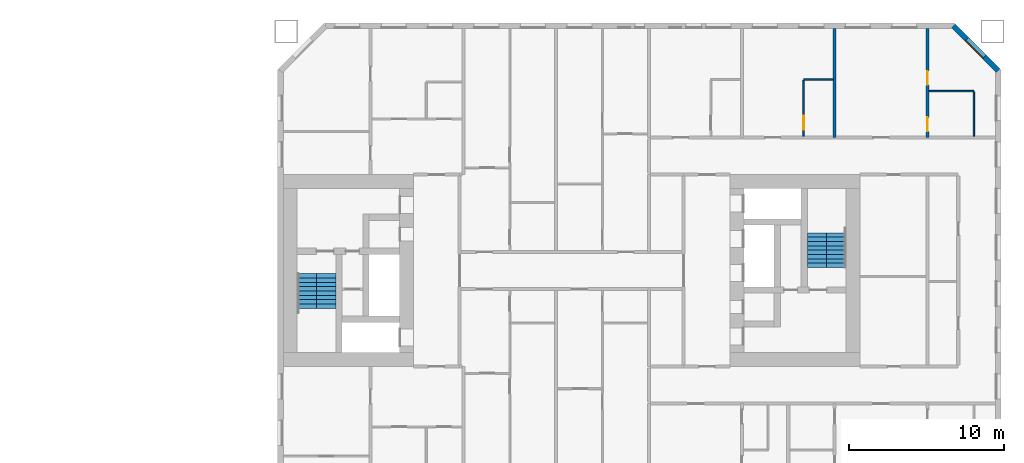
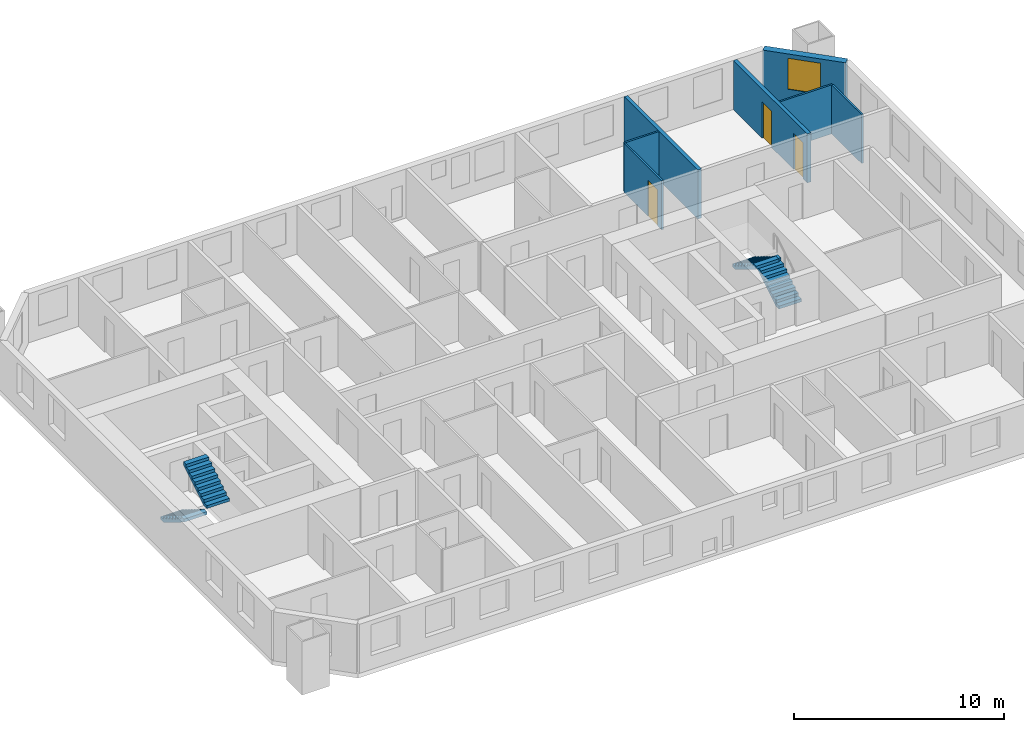
# One storey, part 14 of 16: 7 walls, 4 stair flights, 3 doors, 1 window, 4 openings, 2 elements without a shape of their own.
"""IFC4 building model written with IfcOpenShell, lengths in metres."""

from ifc_helpers import new_model, si_unit, direction, frame, frame_2d, origin, place, context, subcontext, project, spatial, polyline, rectangle, outline, extrude, material, layer, layer_set, type_object, element, fill, aggregate, save


model = new_model("IFC4")

# Units and contexts
model_context = context("Model", 3, precision=1e-05, world=origin(), true_north=direction((0.0, 1.0)))
body_context = subcontext(model_context, "Body", "Model", "MODEL_VIEW")
ifc_project = project(units=[si_unit("LENGTHUNIT", "METRE"), si_unit("AREAUNIT", "SQUARE_METRE"), si_unit("VOLUMEUNIT", "CUBIC_METRE"), si_unit("PLANEANGLEUNIT", "RADIAN"), si_unit("MASSUNIT", "GRAM", prefix="KILO")], contexts=[model_context])

# Site, building, storey
site_placement = place(None, origin())
site = spatial("IfcSite", under=ifc_project, at=site_placement, CompositionType="ELEMENT")
building_placement = place(site_placement, origin())
building = spatial("IfcBuilding", under=site, at=building_placement, Name="Tuart Gate Housing", CompositionType="ELEMENT")
storey_placement = place(building_placement, frame((0.0, 0.0, 35.0)))
storey = spatial("IfcBuildingStorey", under=building, at=storey_placement, Name="L09", CompositionType="ELEMENT", Elevation=35.0)

# Wall, opening, window
ifc_material_1 = material(Name="Brick", Category="masonry")
ifc_layer_1 = layer(ifc_material_1, 0.360107421875)
ifc_layer_set_1 = layer_set([ifc_layer_1], Name="Brick pier and spandrel wall 360")
wall_type_1 = type_object("IfcWallType", Name="Brick pier and spandrel wall 360", PredefinedType="STANDARD", material=ifc_layer_set_1)
wall_1_placement = place(storey_placement, frame((177.570068359375, 82.92529296875, 0.0), z_axis=(0.0, 0.0, 1.0), x_axis=(-0.707106781187, 0.707106781187, 0.0)))
wall_1 = element("IfcWall", 1, at=wall_1_placement, inside=storey, type_object=wall_type_1, Name="External wall B-NE L09", PredefinedType="STANDARD", context=body_context, shape_type="SweptSolid", body=[
    extrude(rectangle(XDim=4.09375, YDim=0.360107421875, at=frame_2d((2.046875, 0.0))), origin(), (0.0, 0.0, 1.0), 2.85009765625),
])
opening_1_placement = place(wall_1_placement, frame((1.2470703125, 0.0, 0.800048828125)))
opening_1 = element("IfcOpeningElement", 2, at=opening_1_placement, cuts=wall_1, Name="Opening W1", PredefinedType="OPENING", context=body_context, shape_type="SweptSolid", body=[
    extrude(rectangle(XDim=1.60009765625, YDim=1.800048828125, at=frame_2d((0.800048828125, 0.89990234375))), frame((0.0, 0.18994140625, 0.0), z_axis=(0.0, -1.0, 0.0), x_axis=(1.0, 0.0, 0.0)), (0.0, 0.0, 1.0), 0.380126953125),
])
ifc_material_2 = material(Name="Aluminium frame with clear glass", Category="aluminium")
window_type = type_object("IfcWindowType", Name="Punched window 1600 x 1800", PartitioningType="SINGLE_PANEL", PredefinedType="WINDOW", material=ifc_material_2)
window_placement = place(opening_1_placement, origin())
window = element("IfcWindow", 3, at=window_placement, inside=storey, type_object=window_type, Name="Window W1", OverallHeight=1.800048828125, OverallWidth=1.60009765625, PartitioningType="SINGLE_PANEL", PredefinedType="WINDOW", context=body_context, shape_type="SweptSolid", body=[
    extrude(rectangle(XDim=1.60009765625, YDim=1.800048828125, at=frame_2d((0.800048828125, 0.89990234375))), frame((0.0, 0.150146484375, 0.0), z_axis=(0.0, -1.0, 0.0), x_axis=(1.0, 0.0, 0.0)), (0.0, 0.0, 1.0), 0.06005859375),
])
fill(opening_1, window)

# Walls
ifc_material_3 = material(Name="Gypsum board on steel studs", Category="steel")
ifc_layer_2 = layer(ifc_material_3, 0.10009765625)
ifc_layer_set_2 = layer_set([ifc_layer_2], Name="Partition 100")
wall_type_2 = type_object("IfcWallType", Name="Partition 100", PredefinedType="PARTITIONING", material=ifc_layer_set_2)
wall_2_placement = place(storey_placement, frame((173.10009765625, 81.60009765625, 0.0), z_axis=(0.0, 0.0, 1.0), x_axis=(1.0, 0.0, 0.0)))
element("IfcWall", 4, at=wall_2_placement, inside=storey, type_object=wall_type_2, Name="Partition 100", PredefinedType="PARTITIONING", context=body_context, shape_type="SweptSolid", body=[
    extrude(rectangle(XDim=2.89990234375, YDim=0.10009765625, at=frame_2d((1.449951171875, 0.0))), origin(), (0.0, 0.0, 1.0), 2.85009765625),
])
wall_3_placement = place(storey_placement, frame((165.0, 82.35009765625, 0.0), z_axis=(0.0, 0.0, 1.0), x_axis=(1.0, 0.0, 0.0)))
element("IfcWall", 5, at=wall_3_placement, inside=storey, type_object=wall_type_2, Name="Partition 100", PredefinedType="PARTITIONING", context=body_context, shape_type="SweptSolid", body=[
    extrude(rectangle(XDim=1.89990234375, YDim=0.10009765625, at=frame_2d((0.949951171875, 0.0))), origin(), (0.0, 0.0, 1.0), 2.85009765625),
])

# Wall, opening, door
wall_4_placement = place(storey_placement, frame((165.0, 78.699951171875, 0.0), z_axis=(0.0, 0.0, 1.0), x_axis=(0.0, 1.0, 0.0)))
wall_4 = element("IfcWall", 6, at=wall_4_placement, inside=storey, type_object=wall_type_2, Name="Partition 100", PredefinedType="PARTITIONING", context=body_context, shape_type="SweptSolid", body=[
    extrude(rectangle(XDim=3.60009765625, YDim=0.10009765625, at=frame_2d((1.800048828125, 0.0))), origin(), (0.0, 0.0, 1.0), 2.85009765625),
])
opening_2_placement = place(wall_4_placement, frame((0.39990234375, 0.0, 0.0)))
opening_2 = element("IfcOpeningElement", 7, at=opening_2_placement, cuts=wall_4, Name="Opening D537", PredefinedType="OPENING", context=body_context, shape_type="SweptSolid", body=[
    extrude(rectangle(XDim=0.89990234375, YDim=2.10009765625, at=frame_2d((0.449951171875, 1.050048828125))), frame((0.0, 0.06005859375, 0.0), z_axis=(0.0, -1.0, 0.0), x_axis=(1.0, 0.0, 0.0)), (0.0, 0.0, 1.0), 0.1201171875),
])
ifc_material_4 = material(Name="Timber door leaf in steel frame", Category="steel")
door_type_1 = type_object("IfcDoorType", Name="Bathroom door 900 RH", OperationType="SINGLE_SWING_RIGHT", PredefinedType="DOOR", material=ifc_material_4)
door_1_placement = place(opening_2_placement, frame((0.89990234375, 0.0, 0.0), z_axis=(0.0, 0.0, 1.0), x_axis=(-1.0, 0.0, 0.0)))
door_1 = element("IfcDoor", 8, at=door_1_placement, inside=storey, type_object=door_type_1, Name="Bathroom door", OperationType="SINGLE_SWING_RIGHT", OverallHeight=2.10009765625, OverallWidth=0.89990234375, PredefinedType="DOOR", context=body_context, shape_type="SweptSolid", body=[
    extrude(rectangle(XDim=0.89990234375, YDim=2.10009765625, at=frame_2d((0.449951171875, 1.050048828125))), frame((0.0, 0.025146484375, 0.0), z_axis=(0.0, -1.0, 0.0), x_axis=(1.0, 0.0, 0.0)), (0.0, 0.0, 1.0), 0.050048828125),
])
fill(opening_2, door_1)

# Walls
wall_5_placement = place(storey_placement, frame((176.0, 78.699951171875, 0.0), z_axis=(0.0, 0.0, 1.0), x_axis=(0.0, 1.0, 0.0)))
element("IfcWall", 9, at=wall_5_placement, inside=storey, type_object=wall_type_2, Name="Partition 100", PredefinedType="PARTITIONING", context=body_context, shape_type="SweptSolid", body=[
    extrude(rectangle(XDim=2.85009765625, YDim=0.10009765625, at=frame_2d((1.425048828125, 0.0))), origin(), (0.0, 0.0, 1.0), 2.85009765625),
])
ifc_material_5 = material(Name="Concrete C40", Category="concrete")
ifc_layer_3 = layer(ifc_material_5, 0.199951171875)
ifc_layer_set_3 = layer_set([ifc_layer_3], Name="Party wall concrete C40 200")
wall_type_3 = type_object("IfcWallType", Name="Party wall concrete C40 200", PredefinedType="SOLIDWALL", material=ifc_layer_set_3)
wall_6_placement = place(storey_placement, frame((167.0, 78.60009765625, 0.0), z_axis=(0.0, 0.0, 1.0), x_axis=(0.0, 1.0, 0.0)))
element("IfcWall", 10, at=wall_6_placement, inside=storey, type_object=wall_type_3, Name="Party wall concrete C40 200", PredefinedType="SOLIDWALL", context=body_context, shape_type="SweptSolid", body=[
    extrude(rectangle(XDim=7.039794921875, YDim=0.199951171875, at=frame_2d((3.52001953125, 0.0))), origin(), (0.0, 0.0, 1.0), 2.85009765625),
])

# Wall, openings, doors
wall_7_placement = place(storey_placement, frame((173.0, 78.60009765625, 0.0), z_axis=(0.0, 0.0, 1.0), x_axis=(0.0, 1.0, 0.0)))
wall_7 = element("IfcWall", 11, at=wall_7_placement, inside=storey, type_object=wall_type_3, Name="Party wall concrete C40 200", PredefinedType="SOLIDWALL", context=body_context, shape_type="SweptSolid", body=[
    extrude(rectangle(XDim=7.039794921875, YDim=0.199951171875, at=frame_2d((3.52001953125, 0.0))), origin(), (0.0, 0.0, 1.0), 2.85009765625),
])
opening_3_placement = place(wall_7_placement, frame((3.39990234375, 0.0, 0.0)))
opening_3 = element("IfcOpeningElement", 12, at=opening_3_placement, cuts=wall_7, Name="Opening D533", PredefinedType="OPENING", context=body_context, shape_type="SweptSolid", body=[
    extrude(rectangle(XDim=0.89990234375, YDim=2.10009765625, at=frame_2d((0.449951171875, 1.050048828125))), frame((0.0, 0.10986328125, 0.0), z_axis=(0.0, -1.0, 0.0), x_axis=(1.0, 0.0, 0.0)), (0.0, 0.0, 1.0), 0.219970703125),
])
opening_4_placement = place(wall_7_placement, frame((0.39990234375, 0.0, 0.0)))
opening_4 = element("IfcOpeningElement", 13, at=opening_4_placement, cuts=wall_7, Name="Opening D532", PredefinedType="OPENING", context=body_context, shape_type="SweptSolid", body=[
    extrude(rectangle(XDim=0.89990234375, YDim=2.10009765625, at=frame_2d((0.449951171875, 1.050048828125))), frame((0.0, 0.10986328125, 0.0), z_axis=(0.0, -1.0, 0.0), x_axis=(1.0, 0.0, 0.0)), (0.0, 0.0, 1.0), 0.219970703125),
])
door_2_placement = place(opening_4_placement, frame((0.89990234375, 0.0, 0.0), z_axis=(0.0, 0.0, 1.0), x_axis=(-1.0, 0.0, 0.0)))
door_2 = element("IfcDoor", 14, at=door_2_placement, inside=storey, type_object=door_type_1, Name="Bathroom door", OperationType="SINGLE_SWING_RIGHT", OverallHeight=2.10009765625, OverallWidth=0.89990234375, PredefinedType="DOOR", context=body_context, shape_type="SweptSolid", body=[
    extrude(rectangle(XDim=0.89990234375, YDim=2.10009765625, at=frame_2d((0.449951171875, 1.050048828125))), frame((0.0, 0.025146484375, 0.0), z_axis=(0.0, -1.0, 0.0), x_axis=(1.0, 0.0, 0.0)), (0.0, 0.0, 1.0), 0.050048828125),
])
fill(opening_4, door_2)
ifc_material_6 = material(Name="Timber door leaf in steel frame", Category="steel")
door_type_2 = type_object("IfcDoorType", Name="Internal door 900 RH", OperationType="SINGLE_SWING_RIGHT", PredefinedType="DOOR", material=ifc_material_6)
door_3_placement = place(opening_3_placement, frame((0.89990234375, 0.0, 0.0), z_axis=(0.0, 0.0, 1.0), x_axis=(-1.0, 0.0, 0.0)))
door_3 = element("IfcDoor", 15, at=door_3_placement, inside=storey, type_object=door_type_2, Name="Internal door", OperationType="SINGLE_SWING_RIGHT", OverallHeight=2.10009765625, OverallWidth=0.89990234375, PredefinedType="DOOR", context=body_context, shape_type="SweptSolid", body=[
    extrude(rectangle(XDim=0.89990234375, YDim=2.10009765625, at=frame_2d((0.449951171875, 1.050048828125))), frame((0.0, 0.025146484375, 0.0), z_axis=(0.0, -1.0, 0.0), x_axis=(1.0, 0.0, 0.0)), (0.0, 0.0, 1.0), 0.050048828125),
])
fill(opening_3, door_3)

# Stair, stair flights
ifc_material_7 = material(Name="Concrete C40", Category="concrete")
stair_type = type_object("IfcStairType", Name="Core stair 1250", PredefinedType="HALF_TURN_STAIR", material=ifc_material_7)
stair_1_placement = place(storey_placement, origin())
stair_1 = element("IfcStair", 16, at=stair_1_placement, inside=storey, type_object=stair_type, Name="Stair SB1", PredefinedType="HALF_TURN_STAIR")
ifc_material_8 = material(Name="Concrete C40", Category="concrete")
stair_flight_type = type_object("IfcStairFlightType", Name="Stair flight 1250, 9 risers 172 x 280", PredefinedType="STRAIGHT", material=ifc_material_8)
stair_flight_1_placement = place(storey_placement, frame((132.885009765625, 69.800048828125, 0.0), z_axis=(0.0, 0.0, 1.0), x_axis=(0.0, -1.0, 0.0)))
stair_flight_1 = element("IfcStairFlight", 17, at=stair_flight_1_placement, type_object=stair_flight_type, Name="SB1 flight 1", NumberOfRisers=9, NumberOfTreads=8, PredefinedType="STRAIGHT", RiserHeight=0.172222222, TreadLength=0.28, context=body_context, shape_type="SweptSolid", body=[
    extrude(outline(polyline([(0.0, 0.0), (0.0, 0.172119140625), (0.280029296875, 0.172119140625), (0.280029296875, 0.344482421875), (0.56005859375, 0.344482421875), (0.56005859375, 0.5166015625), (0.840087890625, 0.5166015625), (0.840087890625, 0.68896484375), (1.1201171875, 0.68896484375), (1.1201171875, 0.861083984375), (1.39990234375, 0.861083984375), (1.39990234375, 1.033447265625), (1.679931640625, 1.033447265625), (1.679931640625, 1.20556640625), (1.9599609375, 1.20556640625), (1.9599609375, 1.377685546875), (2.239990234375, 1.377685546875), (2.239990234375, 1.550048828125), (2.239990234375, 1.201904296875), (0.2861328125, 0.0), (0.0, 0.0)])), frame((0.0, 0.625, 0.0), z_axis=(0.0, -1.0, 0.0), x_axis=(1.0, 0.0, 0.0)), (0.0, 0.0, 1.0), 1.25),
])
stair_flight_2_placement = place(storey_placement, frame((134.135009765625, 67.56005859375, 1.550048828125), z_axis=(0.0, 0.0, 1.0), x_axis=(0.0, 1.0, 0.0)))
stair_flight_2 = element("IfcStairFlight", 18, at=stair_flight_2_placement, type_object=stair_flight_type, Name="SB1 flight 2", NumberOfRisers=9, NumberOfTreads=8, PredefinedType="STRAIGHT", RiserHeight=0.172222222, TreadLength=0.28, context=body_context, shape_type="SweptSolid", body=[
    extrude(outline(polyline([(0.0, 0.0), (0.0, 0.172119140625), (0.280029296875, 0.172119140625), (0.280029296875, 0.344482421875), (0.56005859375, 0.344482421875), (0.56005859375, 0.5166015625), (0.840087890625, 0.5166015625), (0.840087890625, 0.68896484375), (1.1201171875, 0.68896484375), (1.1201171875, 0.861083984375), (1.39990234375, 0.861083984375), (1.39990234375, 1.033447265625), (1.679931640625, 1.033447265625), (1.679931640625, 1.20556640625), (1.9599609375, 1.20556640625), (1.9599609375, 1.377685546875), (2.239990234375, 1.377685546875), (2.239990234375, 1.550048828125), (2.239990234375, 1.201904296875), (0.2861328125, 0.0), (0.0, 0.0)])), frame((0.0, 0.625, 0.0), z_axis=(0.0, -1.0, 0.0), x_axis=(1.0, 0.0, 0.0)), (0.0, 0.0, 1.0), 1.25),
])
aggregate(stair_1, [stair_flight_1, stair_flight_2])

stair_2_placement = place(storey_placement, origin())
stair_2 = element("IfcStair", 19, at=stair_2_placement, inside=storey, type_object=stair_type, Name="Stair SB2", PredefinedType="HALF_TURN_STAIR")
stair_flight_3_placement = place(storey_placement, frame((167.114990234375, 70.199951171875, 0.0), z_axis=(0.0, 0.0, 1.0), x_axis=(0.0, 1.0, 0.0)))
stair_flight_3 = element("IfcStairFlight", 20, at=stair_flight_3_placement, type_object=stair_flight_type, Name="SB2 flight 1", NumberOfRisers=9, NumberOfTreads=8, PredefinedType="STRAIGHT", RiserHeight=0.172222222, TreadLength=0.28, context=body_context, shape_type="SweptSolid", body=[
    extrude(outline(polyline([(0.0, 0.0), (0.0, 0.172119140625), (0.280029296875, 0.172119140625), (0.280029296875, 0.344482421875), (0.56005859375, 0.344482421875), (0.56005859375, 0.5166015625), (0.840087890625, 0.5166015625), (0.840087890625, 0.68896484375), (1.1201171875, 0.68896484375), (1.1201171875, 0.861083984375), (1.39990234375, 0.861083984375), (1.39990234375, 1.033447265625), (1.679931640625, 1.033447265625), (1.679931640625, 1.20556640625), (1.9599609375, 1.20556640625), (1.9599609375, 1.377685546875), (2.239990234375, 1.377685546875), (2.239990234375, 1.550048828125), (2.239990234375, 1.201904296875), (0.2861328125, 0.0), (0.0, 0.0)])), frame((0.0, 0.625, 0.0), z_axis=(0.0, -1.0, 0.0), x_axis=(1.0, 0.0, 0.0)), (0.0, 0.0, 1.0), 1.25),
])
stair_flight_4_placement = place(storey_placement, frame((165.864990234375, 72.43994140625, 1.550048828125), z_axis=(0.0, 0.0, 1.0), x_axis=(0.0, -1.0, 0.0)))
stair_flight_4 = element("IfcStairFlight", 21, at=stair_flight_4_placement, type_object=stair_flight_type, Name="SB2 flight 2", NumberOfRisers=9, NumberOfTreads=8, PredefinedType="STRAIGHT", RiserHeight=0.172222222, TreadLength=0.28, context=body_context, shape_type="SweptSolid", body=[
    extrude(outline(polyline([(0.0, 0.0), (0.0, 0.172119140625), (0.280029296875, 0.172119140625), (0.280029296875, 0.344482421875), (0.56005859375, 0.344482421875), (0.56005859375, 0.5166015625), (0.840087890625, 0.5166015625), (0.840087890625, 0.68896484375), (1.1201171875, 0.68896484375), (1.1201171875, 0.861083984375), (1.39990234375, 0.861083984375), (1.39990234375, 1.033447265625), (1.679931640625, 1.033447265625), (1.679931640625, 1.20556640625), (1.9599609375, 1.20556640625), (1.9599609375, 1.377685546875), (2.239990234375, 1.377685546875), (2.239990234375, 1.550048828125), (2.239990234375, 1.201904296875), (0.2861328125, 0.0), (0.0, 0.0)])), frame((0.0, 0.625, 0.0), z_axis=(0.0, -1.0, 0.0), x_axis=(1.0, 0.0, 0.0)), (0.0, 0.0, 1.0), 1.25),
])
aggregate(stair_2, [stair_flight_3, stair_flight_4])

save(model, "model.ifc")
